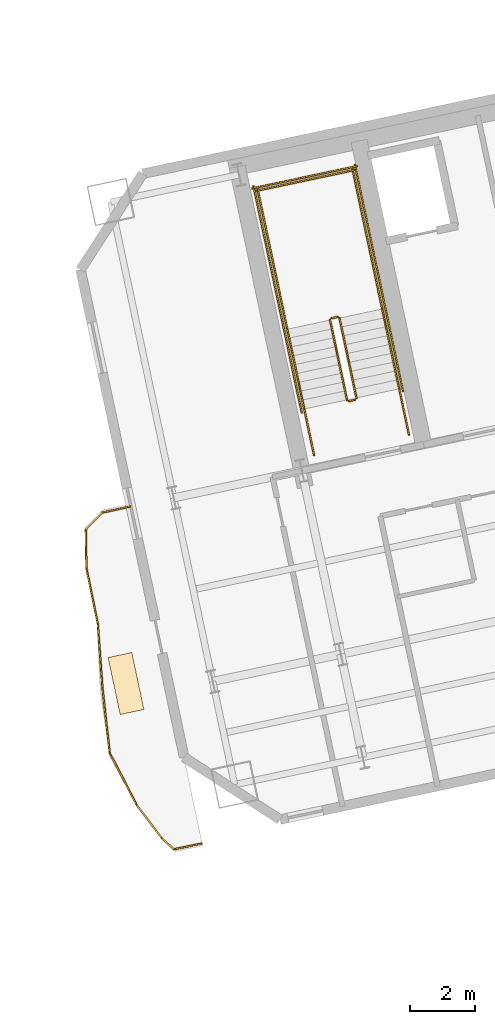
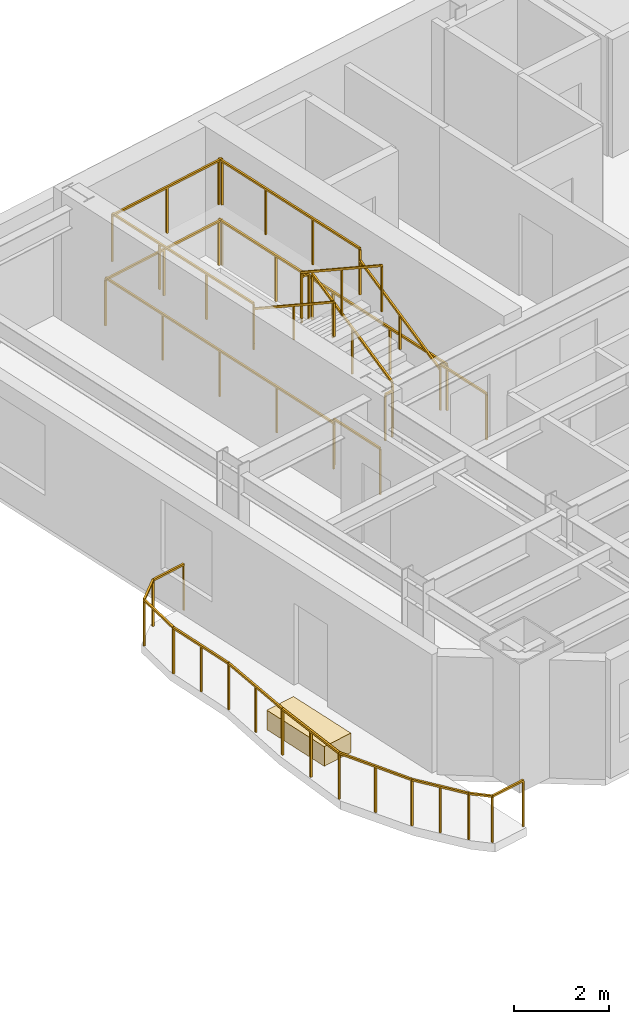
# One storey, part 12 of 14: 24 railings, 1 covering.
"""IFC4 building model written with IfcOpenShell, lengths in metres."""

import ifcopenshell
import ifcopenshell.guid

model = None  # the IFC model being written
_history = None  # IfcOwnerHistory: only IFC2X3 demands one
_inside = {}  # id of a spatial element -> (the spatial element, [elements in it])
_under = {}  # id of a project, library or spatial element -> (it, [spatial elements below it])
_declared = {}  # id of a project -> (the project, [libraries it declares])
_typed = {}  # id of a type object -> (the type object, [elements of that type])
_made_of = {}  # id of a material, layer set ... -> (it, [elements and type objects made of it])


def new_model(schema):
    """Start an empty IFC model of exactly this schema.

    Asked for "IFC4X3", IfcOpenShell would pick the latest addendum, in which some entities
    have other attributes; the version numbers below select the first issue.
    IFC2X3 requires an IfcOwnerHistory on every rooted entity: one is made here for all.
    """
    global model, _history
    if schema == "IFC4X3":
        model = ifcopenshell.file(schema_version=(4, 3, 0, 0))
    else:
        model = ifcopenshell.file(schema=schema)
    _inside.clear()
    _under.clear()
    _declared.clear()
    _typed.clear()
    _made_of.clear()
    _history = None
    if model.schema == "IFC2X3":
        org = make("IfcOrganization", Name="unknown")
        user = make(
            "IfcPersonAndOrganization",
            ThePerson=make("IfcPerson", FamilyName="unknown"),
            TheOrganization=org,
        )
        app = make(
            "IfcApplication",
            ApplicationDeveloper=org,
            Version="unknown",
            ApplicationFullName="unknown",
            ApplicationIdentifier="unknown",
        )
        _history = make(
            "IfcOwnerHistory",
            OwningUser=user,
            OwningApplication=app,
            ChangeAction="ADDED",
            CreationDate=0,
        )
    return model


def make(cls, **values):
    """One entity of the class cls with the attributes given. An attribute that is None is left unset."""
    return model.create_entity(
        cls, **{name: value for name, value in values.items() if value is not None}
    )


def rooted(cls, **values):
    """An entity with a GlobalId (a new one), such as an element, a storey or a relation."""
    return make(cls, GlobalId=ifcopenshell.guid.new(), OwnerHistory=_history, **values)


def si_unit(unit_type, name, prefix=None):
    """IfcSIUnit, for example si_unit("LENGTHUNIT", "METRE", prefix="MILLI")."""
    return make("IfcSIUnit", UnitType=unit_type, Prefix=prefix, Name=name)


def assignment(units):
    """IfcUnitAssignment: the units of a project."""
    return None if units is None else make("IfcUnitAssignment", Units=units)


def point(xyz):
    """IfcCartesianPoint."""
    return None if xyz is None else make("IfcCartesianPoint", Coordinates=xyz)


def direction(xyz):
    """IfcDirection."""
    return None if xyz is None else make("IfcDirection", DirectionRatios=xyz)


def frame(location, z_axis=None, x_axis=None):
    """IfcAxis2Placement3D, a coordinate frame: its origin and axes. An axis left out is left unset."""
    return make(
        "IfcAxis2Placement3D",
        Location=point(location),
        Axis=direction(z_axis),
        RefDirection=direction(x_axis),
    )


def frame_2d(location, x_axis=None):
    """IfcAxis2Placement2D, a coordinate frame in the plane: its origin and x axis."""
    return make(
        "IfcAxis2Placement2D", Location=point(location), RefDirection=direction(x_axis)
    )


def origin():
    """The frame at (0, 0, 0) with its axes left unset."""
    return frame((0.0, 0.0, 0.0))


def origin_2d():
    """The frame at (0, 0) in the plane with its x axis left unset."""
    return frame_2d((0.0, 0.0))


def place(relative_to, where):
    """IfcLocalPlacement: puts the frame where relative to a parent placement (None: the world)."""
    return make(
        "IfcLocalPlacement", PlacementRelTo=relative_to, RelativePlacement=where
    )


def context(
    kind, dimensions, precision=None, world=None, true_north=None, identifier=None
):
    """IfcGeometricRepresentationContext, for example the 3D "Model" context."""
    return make(
        "IfcGeometricRepresentationContext",
        ContextIdentifier=identifier,
        ContextType=kind,
        CoordinateSpaceDimension=dimensions,
        Precision=precision,
        WorldCoordinateSystem=world,
        TrueNorth=true_north,
    )


def subcontext(parent, identifier, kind, view, scale=None):
    """IfcGeometricRepresentationSubContext, for example "Body" below "Model"."""
    return make(
        "IfcGeometricRepresentationSubContext",
        ContextIdentifier=identifier,
        ContextType=kind,
        ParentContext=parent,
        TargetScale=scale,
        TargetView=view,
    )


def project(units=None, contexts=None):
    """IfcProject with its units and contexts."""
    return rooted(
        "IfcProject",
        Name="project",
        RepresentationContexts=contexts,
        UnitsInContext=assignment(units),
    )


def spatial(cls, under=None, at=None, **own):
    """A site, building, storey or space (cls), placed at a placement, below another one or the project."""
    s = rooted(cls, ObjectPlacement=at, **own)
    if under is not None:
        _under.setdefault(under.id(), (under, []))[1].append(s)
    return s


def profile(cls, at=None, kind="AREA", **sizes):
    """A parametric profile (cls). Its sizes go by their IFC names, for example OverallWidth=200.0."""
    return make(cls, ProfileType=kind, Position=at, **sizes)


def rectangle(**sizes):
    """IfcRectangleProfileDef."""
    return profile("IfcRectangleProfileDef", **sizes)


def extrude(swept, where, along, depth):
    """IfcExtrudedAreaSolid: the profile swept, set in the frame where, extruded along a direction by depth."""
    return make(
        "IfcExtrudedAreaSolid",
        SweptArea=swept,
        Position=where,
        ExtrudedDirection=direction(along),
        Depth=depth,
    )


def shape(context_of_items, identifier, shape_type, items):
    """IfcShapeRepresentation: the items that make up one representation, for example the "Body"."""
    return make(
        "IfcShapeRepresentation",
        ContextOfItems=context_of_items,
        RepresentationIdentifier=identifier,
        RepresentationType=shape_type,
        Items=items,
    )


def material(Name=None, Category=None):
    """IfcMaterial."""
    return make("IfcMaterial", Name=Name, Category=Category)


def layer(
    of_material, thickness, ventilated=None, Name=None, Category=None, Priority=None
):
    """IfcMaterialLayer: one layer of a wall or slab, of a material (None: an air gap)."""
    return make(
        "IfcMaterialLayer",
        Material=of_material,
        LayerThickness=thickness,
        IsVentilated=ventilated,
        Name=Name,
        Category=Category,
        Priority=Priority,
    )


def layer_set(layers, Name=None):
    """IfcMaterialLayerSet."""
    return make("IfcMaterialLayerSet", MaterialLayers=layers, LayerSetName=Name)


def made_of(thing, what):
    """Note that an element or type object is made of a material, layer set ...; save() writes the relation."""
    if what is not None:
        _made_of.setdefault(what.id(), (what, []))[1].append(thing)
    return thing


def type_object(cls, material=None, **own):
    """A type object (cls), such as IfcWallType, which elements share."""
    return made_of(rooted(cls, **own), material)


def element(
    cls,
    number,
    at=None,
    inside=None,
    cuts=None,
    type_object=None,
    material=None,
    context=None,
    identifier="Body",
    shape_type=None,
    held_by="IfcProductDefinitionShape",
    body=None,
    shapes=None,
    **own,
):
    """One element of the class cls, such as IfcWall. Its Tag is "e" and its number.

    at: its placement. inside: the storey or other place that contains it. cuts: it is an
    opening in that element (IfcRelVoidsElement). A single representation is given by context,
    identifier, shape_type and body (its items); several are given by shapes. held_by: the class
    of the entity that holds the representations. save() writes the other relations.
    """
    e = rooted(cls, Tag="e%d" % number, ObjectPlacement=at, **own)
    if body is not None:
        shapes = [shape(context, identifier, shape_type, body)]
    if shapes is not None:
        e.Representation = make(held_by, Representations=shapes)
    if inside is not None:
        _inside.setdefault(inside.id(), (inside, []))[1].append(e)
    if cuts is not None:
        rooted(
            "IfcRelVoidsElement", RelatingBuildingElement=cuts, RelatedOpeningElement=e
        )
    if type_object is not None:
        _typed.setdefault(type_object.id(), (type_object, []))[1].append(e)
    return made_of(e, material)


def aggregate(whole, parts):
    """IfcRelAggregates: a whole, such as a stair, and the parts it consists of."""
    return rooted("IfcRelAggregates", RelatingObject=whole, RelatedObjects=parts)


def save(model, path):
    """Write the relations noted so far, then the file.

    IfcRelAggregates (storeys below a building ...), IfcRelContainedInSpatialStructure (elements
    in a storey), IfcRelDefinesByType, IfcRelAssociatesMaterial and IfcRelDeclares: one each for
    every whole, place, type object, material and project.
    """
    for whole, parts in _under.values():
        aggregate(whole, parts)
    for where, things in _inside.values():
        rooted(
            "IfcRelContainedInSpatialStructure",
            RelatedElements=things,
            RelatingStructure=where,
        )
    for kind, things in _typed.values():
        rooted("IfcRelDefinesByType", RelatedObjects=things, RelatingType=kind)
    for what, things in _made_of.values():
        rooted("IfcRelAssociatesMaterial", RelatedObjects=things, RelatingMaterial=what)
    for by, libraries in _declared.values():
        rooted("IfcRelDeclares", RelatingContext=by, RelatedDefinitions=libraries)
    model.write(path)


model = new_model("IFC4")

# Units and contexts
model_context = context("Model", 3, precision=1e-05, world=origin(), true_north=direction((0.0, 1.0)))
body_context = subcontext(model_context, "Body", "Model", "MODEL_VIEW")
ifc_project = project(units=[si_unit("LENGTHUNIT", "METRE"), si_unit("AREAUNIT", "SQUARE_METRE"), si_unit("VOLUMEUNIT", "CUBIC_METRE"), si_unit("PLANEANGLEUNIT", "RADIAN"), si_unit("MASSUNIT", "GRAM", prefix="KILO")], contexts=[model_context])

# Site, building, storey
site_placement = place(None, origin())
site = spatial("IfcSite", under=ifc_project, at=site_placement, CompositionType="ELEMENT")
building_placement = place(site_placement, origin())
building = spatial("IfcBuilding", under=site, at=building_placement, Name="Haevon Station Towers", CompositionType="ELEMENT")
storey_placement = place(building_placement, frame((0.0, 0.0, 169.199951171875)))
storey = spatial("IfcBuildingStorey", under=building, at=storey_placement, Name="L46", CompositionType="ELEMENT", Elevation=169.199951171875)

# Railings
ifc_material_1 = material(Name="Steel S355", Category="steel")
railing_type_1 = type_object("IfcRailingType", Name="GRD-EXT1200", PredefinedType="GUARDRAIL", material=ifc_material_1)
railing_1_placement = place(storey_placement, frame((93.44384765625, 36.33154296875, 0.0)))
element("IfcRailing", 1, at=railing_1_placement, inside=storey, type_object=railing_type_1, Name="L46 Perimeter Guardrail 1", PredefinedType="GUARDRAIL", context=body_context, shape_type="SweptSolid", body=[
    extrude(rectangle(XDim=0.048095703125, YDim=0.048095703125, at=origin_2d()), frame((0.0, 0.0, 1.17578125), z_axis=(-0.977695451476, -0.210027627141, 0.0), x_axis=(0.210027627141, -0.977695451476, 0.0)), (0.0, 0.0, 1.0), 0.869384765625),
    extrude(rectangle(XDim=0.0419921875, YDim=0.0419921875, at=origin_2d()), origin(), (0.0, 0.0, 1.0), 1.15185546875),
    extrude(rectangle(XDim=0.0419921875, YDim=0.0419921875, at=origin_2d()), frame((-0.85009765625, -0.1826171875, 0.0)), (0.0, 0.0, 1.0), 1.15185546875),
])
railing_2_placement = place(storey_placement, frame((92.59375, 36.14892578125, 0.0)))
element("IfcRailing", 2, at=railing_2_placement, inside=storey, type_object=railing_type_1, Name="L46 Perimeter Guardrail 2", PredefinedType="GUARDRAIL", context=body_context, shape_type="SweptSolid", body=[
    extrude(rectangle(XDim=0.048095703125, YDim=0.048095703125, at=origin_2d()), frame((0.0, 0.0, 1.17578125), z_axis=(-0.699844816207, -0.714294920343, 0.0), x_axis=(0.714294920343, -0.699844816207, 0.0)), (0.0, 0.0, 1.0), 0.743408203125),
    extrude(rectangle(XDim=0.0419921875, YDim=0.0419921875, at=origin_2d()), origin(), (0.0, 0.0, 1.0), 1.15185546875),
    extrude(rectangle(XDim=0.0419921875, YDim=0.0419921875, at=origin_2d()), frame((-0.520263671875, -0.531005859375, 0.0)), (0.0, 0.0, 1.0), 1.15185546875),
])
railing_3_placement = place(storey_placement, frame((92.073486328125, 35.617919921875, 0.0)))
element("IfcRailing", 3, at=railing_3_placement, inside=storey, type_object=railing_type_1, Name="L46 Perimeter Guardrail 3", PredefinedType="GUARDRAIL", context=body_context, shape_type="SweptSolid", body=[
    extrude(rectangle(XDim=0.048095703125, YDim=0.048095703125, at=origin_2d()), frame((0.0, 0.0, 1.17578125), z_axis=(0.018439487303, -0.9998299782, 0.0), x_axis=(0.9998299782, 0.018439487303, 0.0)), (0.0, 0.0, 1.0), 1.191650390625),
    extrude(rectangle(XDim=0.0419921875, YDim=0.0419921875, at=origin_2d()), origin(), (0.0, 0.0, 1.0), 1.15185546875),
    extrude(rectangle(XDim=0.0419921875, YDim=0.0419921875, at=origin_2d()), frame((0.02197265625, -1.19140625, 0.0)), (0.0, 0.0, 1.0), 1.15185546875),
])
railing_4_placement = place(storey_placement, frame((92.095458984375, 34.426513671875, 0.0)))
element("IfcRailing", 4, at=railing_4_placement, inside=storey, type_object=railing_type_1, Name="L46 Perimeter Guardrail 4", PredefinedType="GUARDRAIL", context=body_context, shape_type="SweptSolid", body=[
    extrude(rectangle(XDim=0.048095703125, YDim=0.048095703125, at=origin_2d()), frame((0.0, 0.0, 1.17578125), z_axis=(0.200700479152, -0.979652651539, 0.0), x_axis=(0.979652651539, 0.200700479152, 0.0)), (0.0, 0.0, 1.0), 1.75048828125),
    extrude(rectangle(XDim=0.0419921875, YDim=0.0419921875, at=origin_2d()), origin(), (0.0, 0.0, 1.0), 1.15185546875),
    extrude(rectangle(XDim=0.0419921875, YDim=0.0419921875, at=origin_2d()), frame((0.17578125, -0.857421875, 0.0)), (0.0, 0.0, 1.0), 1.15185546875),
    extrude(rectangle(XDim=0.0419921875, YDim=0.0419921875, at=origin_2d()), frame((0.351318359375, -1.71484375, 0.0)), (0.0, 0.0, 1.0), 1.15185546875),
])
railing_5_placement = place(storey_placement, frame((92.44677734375, 32.711669921875, 0.0)))
element("IfcRailing", 5, at=railing_5_placement, inside=storey, type_object=railing_type_1, Name="L46 Perimeter Guardrail 5", PredefinedType="GUARDRAIL", context=body_context, shape_type="SweptSolid", body=[
    extrude(rectangle(XDim=0.048095703125, YDim=0.048095703125, at=origin_2d()), frame((0.0, 0.0, 1.17578125), z_axis=(0.072603881336, -0.997360855666, 0.0), x_axis=(0.997360855666, 0.072603881336, 0.0)), (0.0, 0.0, 1.0), 2.007568359375),
    extrude(rectangle(XDim=0.0419921875, YDim=0.0419921875, at=origin_2d()), origin(), (0.0, 0.0, 1.0), 1.15185546875),
    extrude(rectangle(XDim=0.0419921875, YDim=0.0419921875, at=origin_2d()), frame((0.07275390625, -1.0009765625, 0.0)), (0.0, 0.0, 1.0), 1.15185546875),
    extrude(rectangle(XDim=0.0419921875, YDim=0.0419921875, at=origin_2d()), frame((0.145751953125, -2.002197265625, 0.0)), (0.0, 0.0, 1.0), 1.15185546875),
])
railing_6_placement = place(storey_placement, frame((92.592529296875, 30.70947265625, 0.0)))
element("IfcRailing", 6, at=railing_6_placement, inside=storey, type_object=railing_type_1, Name="L46 Perimeter Guardrail 6", PredefinedType="GUARDRAIL", context=body_context, shape_type="SweptSolid", body=[
    extrude(rectangle(XDim=0.048095703125, YDim=0.048095703125, at=origin_2d()), frame((0.0, 0.0, 1.17578125), z_axis=(0.111367614102, -0.993779278577, 0.0), x_axis=(0.993779278577, 0.111367614102, 0.0)), (0.0, 0.0, 1.0), 2.003662109375),
    extrude(rectangle(XDim=0.0419921875, YDim=0.0419921875, at=origin_2d()), origin(), (0.0, 0.0, 1.0), 1.15185546875),
    extrude(rectangle(XDim=0.0419921875, YDim=0.0419921875, at=origin_2d()), frame((0.111572265625, -0.99560546875, 0.0)), (0.0, 0.0, 1.0), 1.15185546875),
    extrude(rectangle(XDim=0.0419921875, YDim=0.0419921875, at=origin_2d()), frame((0.22314453125, -1.9912109375, 0.0)), (0.0, 0.0, 1.0), 1.15185546875),
])
railing_7_placement = place(storey_placement, frame((92.815673828125, 28.71826171875, 0.0)))
element("IfcRailing", 7, at=railing_7_placement, inside=storey, type_object=railing_type_1, Name="L46 Perimeter Guardrail 7", PredefinedType="GUARDRAIL", context=body_context, shape_type="SweptSolid", body=[
    extrude(rectangle(XDim=0.048095703125, YDim=0.048095703125, at=origin_2d()), frame((0.0, 0.0, 1.17578125), z_axis=(0.460970518106, -0.887415450303, 0.0), x_axis=(0.887415450303, 0.460970518106, 0.0)), (0.0, 0.0, 1.0), 1.810302734375),
    extrude(rectangle(XDim=0.0419921875, YDim=0.0419921875, at=origin_2d()), origin(), (0.0, 0.0, 1.0), 1.15185546875),
    extrude(rectangle(XDim=0.0419921875, YDim=0.0419921875, at=origin_2d()), frame((0.417236328125, -0.80322265625, 0.0)), (0.0, 0.0, 1.0), 1.15185546875),
    extrude(rectangle(XDim=0.0419921875, YDim=0.0419921875, at=origin_2d()), frame((0.83447265625, -1.6064453125, 0.0)), (0.0, 0.0, 1.0), 1.15185546875),
])
railing_8_placement = place(storey_placement, frame((93.650146484375, 27.11181640625, 0.0)))
element("IfcRailing", 8, at=railing_8_placement, inside=storey, type_object=railing_type_1, Name="L46 Perimeter Guardrail 8", PredefinedType="GUARDRAIL", context=body_context, shape_type="SweptSolid", body=[
    extrude(rectangle(XDim=0.048095703125, YDim=0.048095703125, at=origin_2d()), frame((0.0, 0.0, 1.17578125), z_axis=(0.602477349531, -0.798135980458, 0.0), x_axis=(0.798135980458, 0.602477349531, 0.0)), (0.0, 0.0, 1.0), 1.29150390625),
    extrude(rectangle(XDim=0.0419921875, YDim=0.0419921875, at=origin_2d()), origin(), (0.0, 0.0, 1.0), 1.15185546875),
    extrude(rectangle(XDim=0.0419921875, YDim=0.0419921875, at=origin_2d()), frame((0.38916015625, -0.515380859375, 0.0)), (0.0, 0.0, 1.0), 1.15185546875),
    extrude(rectangle(XDim=0.0419921875, YDim=0.0419921875, at=origin_2d()), frame((0.778076171875, -1.03076171875, 0.0)), (0.0, 0.0, 1.0), 1.15185546875),
])
railing_9_placement = place(storey_placement, frame((94.42822265625, 26.0810546875, 0.0)))
element("IfcRailing", 9, at=railing_9_placement, inside=storey, type_object=railing_type_1, Name="L46 Perimeter Guardrail 9", PredefinedType="GUARDRAIL", context=body_context, shape_type="SweptSolid", body=[
    extrude(rectangle(XDim=0.048095703125, YDim=0.048095703125, at=origin_2d()), frame((0.0, 0.0, 1.17578125), z_axis=(0.743341898555, -0.668911669694, 0.0), x_axis=(0.668911669694, 0.743341898555, 0.0)), (0.0, 0.0, 1.0), 0.50830078125),
    extrude(rectangle(XDim=0.0419921875, YDim=0.0419921875, at=origin_2d()), origin(), (0.0, 0.0, 1.0), 1.15185546875),
    extrude(rectangle(XDim=0.0419921875, YDim=0.0419921875, at=origin_2d()), frame((0.3779296875, -0.340087890625, 0.0)), (0.0, 0.0, 1.0), 1.15185546875),
])
railing_10_placement = place(storey_placement, frame((94.80615234375, 25.740966796875, 0.0)))
element("IfcRailing", 10, at=railing_10_placement, inside=storey, type_object=railing_type_1, Name="L46 Perimeter Guardrail 10", PredefinedType="GUARDRAIL", context=body_context, shape_type="SweptSolid", body=[
    extrude(rectangle(XDim=0.048095703125, YDim=0.048095703125, at=origin_2d()), frame((0.0, 0.0, 1.17578125), z_axis=(0.978588498747, 0.205826504901, 0.0), x_axis=(-0.205826504901, 0.978588498747, 0.0)), (0.0, 0.0, 1.0), 0.869384765625),
    extrude(rectangle(XDim=0.0419921875, YDim=0.0419921875, at=origin_2d()), origin(), (0.0, 0.0, 1.0), 1.15185546875),
    extrude(rectangle(XDim=0.0419921875, YDim=0.0419921875, at=origin_2d()), frame((0.850830078125, 0.178955078125, 0.0)), (0.0, 0.0, 1.0), 1.15185546875),
])
railing_type_2 = type_object("IfcRailingType", Name="GRD-STR1200", PredefinedType="GUARDRAIL", material=ifc_material_1)
railing_11_placement = place(storey_placement, frame((100.44140625, 39.69287109375, 0.1650390625)))
element("IfcRailing", 11, at=railing_11_placement, inside=storey, type_object=railing_type_2, Name="L46 ST3 Stair Guard 1", PredefinedType="GUARDRAIL", context=body_context, shape_type="SweptSolid", body=[
    extrude(rectangle(XDim=0.048095703125, YDim=0.048095703125, at=origin_2d()), frame((0.0, 0.0, 1.17578125), z_axis=(-0.179121265225, 0.842687928106, 0.507732831485), x_axis=(-0.978147030254, -0.207914374695, 0.0)), (0.0, 0.0, 1.0), 2.925048828125),
    extrude(rectangle(XDim=0.0419921875, YDim=0.0419921875, at=origin_2d()), origin(), (0.0, 0.0, 1.0), 1.15185546875),
    extrude(rectangle(XDim=0.0419921875, YDim=0.0419921875, at=origin_2d()), frame((-0.261962890625, 1.232421875, 0.74267578125)), (0.0, 0.0, 1.0), 1.15185546875),
    extrude(rectangle(XDim=0.0419921875, YDim=0.0419921875, at=origin_2d()), frame((-0.52392578125, 2.46484375, 1.485107421875)), (0.0, 0.0, 1.0), 1.15185546875),
])
railing_12_placement = place(storey_placement, frame((99.858154296875, 42.1962890625, 1.650146484375)))
element("IfcRailing", 12, at=railing_12_placement, inside=storey, type_object=railing_type_2, Name="L46 ST3 Stair Guard 2", PredefinedType="GUARDRAIL", context=body_context, shape_type="SweptSolid", body=[
    extrude(rectangle(XDim=0.048095703125, YDim=0.048095703125, at=origin_2d()), frame((0.0, 0.0, 1.17578125), z_axis=(-0.977962931203, -0.208778603291, 0.0), x_axis=(0.208778603291, -0.977962931203, 0.0)), (0.0, 0.0, 1.0), 0.199951171875),
    extrude(rectangle(XDim=0.0419921875, YDim=0.0419921875, at=origin_2d()), origin(), (0.0, 0.0, 1.0), 1.15185546875),
    extrude(rectangle(XDim=0.0419921875, YDim=0.0419921875, at=origin_2d()), frame((-0.195556640625, -0.041748046875, 0.0)), (0.0, 0.0, 1.0), 1.15185546875),
])
railing_13_placement = place(storey_placement, frame((101.238037109375, 42.4384765625, 1.650146484375)))
element("IfcRailing", 13, at=railing_13_placement, inside=storey, type_object=railing_type_2, Name="L46 ST3 Stair Guard 3", PredefinedType="GUARDRAIL", context=body_context, shape_type="SweptSolid", body=[
    extrude(rectangle(XDim=0.048095703125, YDim=0.048095703125, at=origin_2d()), frame((0.0, 0.0, 1.17578125), z_axis=(-0.20794048909, 0.978141479029, 0.0), x_axis=(-0.978141479029, -0.20794048909, 0.0)), (0.0, 0.0, 1.0), 4.429931640625),
    extrude(rectangle(XDim=0.0419921875, YDim=0.0419921875, at=origin_2d()), origin(), (0.0, 0.0, 1.0), 1.15185546875),
    extrude(rectangle(XDim=0.0419921875, YDim=0.0419921875, at=origin_2d()), frame((-0.30712890625, 1.4443359375, 0.0)), (0.0, 0.0, 1.0), 1.15185546875),
    extrude(rectangle(XDim=0.0419921875, YDim=0.0419921875, at=origin_2d()), frame((-0.614013671875, 2.888671875, 0.0)), (0.0, 0.0, 1.0), 1.15185546875),
    extrude(rectangle(XDim=0.0419921875, YDim=0.0419921875, at=origin_2d()), frame((-0.921142578125, 4.3330078125, 0.0)), (0.0, 0.0, 1.0), 1.15185546875),
])
railing_14_placement = place(storey_placement, frame((98.303466796875, 41.814697265625, 1.650146484375)))
element("IfcRailing", 14, at=railing_14_placement, inside=storey, type_object=railing_type_2, Name="L46 ST3 Stair Guard 4", PredefinedType="GUARDRAIL", context=body_context, shape_type="SweptSolid", body=[
    extrude(rectangle(XDim=0.048095703125, YDim=0.048095703125, at=origin_2d()), frame((0.0, 0.0, 1.17578125), z_axis=(-0.207876551949, 0.978155069071, 0.0), x_axis=(-0.978155069071, -0.207876551949, 0.0)), (0.0, 0.0, 1.0), 4.429931640625),
    extrude(rectangle(XDim=0.0419921875, YDim=0.0419921875, at=origin_2d()), origin(), (0.0, 0.0, 1.0), 1.15185546875),
    extrude(rectangle(XDim=0.0419921875, YDim=0.0419921875, at=origin_2d()), frame((-0.306884765625, 1.4443359375, 0.0)), (0.0, 0.0, 1.0), 1.15185546875),
    extrude(rectangle(XDim=0.0419921875, YDim=0.0419921875, at=origin_2d()), frame((-0.614013671875, 2.888916015625, 0.0)), (0.0, 0.0, 1.0), 1.15185546875),
    extrude(rectangle(XDim=0.0419921875, YDim=0.0419921875, at=origin_2d()), frame((-0.9208984375, 4.333251953125, 0.0)), (0.0, 0.0, 1.0), 1.15185546875),
])
railing_15_placement = place(storey_placement, frame((100.376220703125, 46.733154296875, 1.650146484375)))
element("IfcRailing", 15, at=railing_15_placement, inside=storey, type_object=railing_type_2, Name="L46 ST3 Stair Guard 5", PredefinedType="GUARDRAIL", context=body_context, shape_type="SweptSolid", body=[
    extrude(rectangle(XDim=0.048095703125, YDim=0.048095703125, at=origin_2d()), frame((0.0, 0.0, 1.17578125), z_axis=(-0.978146839882, -0.207915270313, 0.0), x_axis=(0.207915270313, -0.978146839882, 0.0)), (0.0, 0.0, 1.0), 3.099853515625),
    extrude(rectangle(XDim=0.0419921875, YDim=0.0419921875, at=origin_2d()), origin(), (0.0, 0.0, 1.0), 1.15185546875),
    extrude(rectangle(XDim=0.0419921875, YDim=0.0419921875, at=origin_2d()), frame((-1.51611328125, -0.322265625, 0.0)), (0.0, 0.0, 1.0), 1.15185546875),
    extrude(rectangle(XDim=0.0419921875, YDim=0.0419921875, at=origin_2d()), frame((-3.0322265625, -0.64453125, 0.0)), (0.0, 0.0, 1.0), 1.15185546875),
])
railing_16_placement = place(storey_placement, frame((99.6240234375, 42.09521484375, 1.81494140625)))
element("IfcRailing", 16, at=railing_16_placement, inside=storey, type_object=railing_type_2, Name="L46 ST3 Stair Guard 6", PredefinedType="GUARDRAIL", context=body_context, shape_type="SweptSolid", body=[
    extrude(rectangle(XDim=0.048095703125, YDim=0.048095703125, at=origin_2d()), frame((0.0, 0.0, 1.17578125), z_axis=(0.179121265225, -0.842687928106, 0.507732831485), x_axis=(0.978147030254, 0.207914374695, 0.0)), (0.0, 0.0, 1.0), 2.925048828125),
    extrude(rectangle(XDim=0.0419921875, YDim=0.0419921875, at=origin_2d()), origin(), (0.0, 0.0, 1.0), 1.15185546875),
    extrude(rectangle(XDim=0.0419921875, YDim=0.0419921875, at=origin_2d()), frame((0.261962890625, -1.232421875, 0.74267578125)), (0.0, 0.0, 1.0), 1.15185546875),
    extrude(rectangle(XDim=0.0419921875, YDim=0.0419921875, at=origin_2d()), frame((0.52392578125, -2.46484375, 1.485107421875)), (0.0, 0.0, 1.0), 1.15185546875),
])
railing_17_placement = place(storey_placement, frame((100.40283203125, 39.633544921875, 0.0)))
element("IfcRailing", 17, at=railing_17_placement, inside=storey, type_object=railing_type_2, Name="L46 ST3 Stair Guard 7", PredefinedType="GUARDRAIL", context=body_context, shape_type="SweptSolid", body=[
    extrude(rectangle(XDim=0.048095703125, YDim=0.048095703125, at=origin_2d()), frame((0.0, 0.0, 1.17578125), z_axis=(-0.977962931203, -0.208778603291, 0.0), x_axis=(0.208778603291, -0.977962931203, 0.0)), (0.0, 0.0, 1.0), 0.199951171875),
    extrude(rectangle(XDim=0.0419921875, YDim=0.0419921875, at=origin_2d()), origin(), (0.0, 0.0, 1.0), 1.15185546875),
    extrude(rectangle(XDim=0.0419921875, YDim=0.0419921875, at=origin_2d()), frame((-0.195556640625, -0.041748046875, 0.0)), (0.0, 0.0, 1.0), 1.15185546875),
])
for number, where, name in (
    (18, (102.0634765625, 38.55517578125, 0.0), "L46 ST3 Stair Guard 8"),
    (19, (99.12890625, 37.931396484375, 0.0), "L46 ST3 Stair Guard 9"),
):
    element("IfcRailing", number, at=place(storey_placement, frame(where)), inside=storey, type_object=railing_type_2, Name=name, PredefinedType="GUARDRAIL", context=body_context, shape_type="SweptSolid", body=[
        extrude(rectangle(XDim=0.048095703125, YDim=0.048095703125, at=origin_2d()), frame((0.0, 0.0, 1.17578125), z_axis=(-0.207953405961, 0.978138732977, 0.0), x_axis=(-0.978138732977, -0.207953405961, 0.0)), (0.0, 0.0, 1.0), 1.449951171875),
        extrude(rectangle(XDim=0.0419921875, YDim=0.0419921875, at=origin_2d()), origin(), (0.0, 0.0, 1.0), 1.15185546875),
        extrude(rectangle(XDim=0.0419921875, YDim=0.0419921875, at=origin_2d()), frame((-0.301513671875, 1.418212890625, 0.0)), (0.0, 0.0, 1.0), 1.15185546875),
    ])
railing_18_placement = place(storey_placement, frame((101.88037109375, 39.896484375, 0.0)))
element("IfcRailing", 20, at=railing_18_placement, inside=storey, type_object=railing_type_2, Name="L46 ST3 Stair Guard 10", PredefinedType="GUARDRAIL", context=body_context, shape_type="SweptSolid", body=[
    extrude(rectangle(XDim=0.048095703125, YDim=0.048095703125, at=origin_2d()), frame((0.0, 0.0, 1.17578125), z_axis=(-0.207882442208, 0.978153817261, 0.0), x_axis=(-0.978153817261, -0.207882442208, 0.0)), (0.0, 0.0, 1.0), 7.14990234375),
    extrude(rectangle(XDim=0.0419921875, YDim=0.0419921875, at=origin_2d()), origin(), (0.0, 0.0, 1.0), 1.15185546875),
    extrude(rectangle(XDim=0.0419921875, YDim=0.0419921875, at=origin_2d()), frame((-0.37158203125, 1.74853515625, 0.0)), (0.0, 0.0, 1.0), 1.15185546875),
    extrude(rectangle(XDim=0.0419921875, YDim=0.0419921875, at=origin_2d()), frame((-0.7431640625, 3.496826171875, 0.0)), (0.0, 0.0, 1.0), 1.15185546875),
    extrude(rectangle(XDim=0.0419921875, YDim=0.0419921875, at=origin_2d()), frame((-1.11474609375, 5.2451171875, 0.0)), (0.0, 0.0, 1.0), 1.15185546875),
    extrude(rectangle(XDim=0.0419921875, YDim=0.0419921875, at=origin_2d()), frame((-1.486328125, 6.99365234375, 0.0)), (0.0, 0.0, 1.0), 1.15185546875),
])
railing_19_placement = place(storey_placement, frame((98.75048828125, 39.231201171875, 0.0)))
element("IfcRailing", 21, at=railing_19_placement, inside=storey, type_object=railing_type_2, Name="L46 ST3 Stair Guard 11", PredefinedType="GUARDRAIL", context=body_context, shape_type="SweptSolid", body=[
    extrude(rectangle(XDim=0.048095703125, YDim=0.048095703125, at=origin_2d()), frame((0.0, 0.0, 1.17578125), z_axis=(-0.207915112487, 0.978146873429, 0.0), x_axis=(-0.978146873429, -0.207915112487, 0.0)), (0.0, 0.0, 1.0), 7.14990234375),
    extrude(rectangle(XDim=0.0419921875, YDim=0.0419921875, at=origin_2d()), origin(), (0.0, 0.0, 1.0), 1.15185546875),
    extrude(rectangle(XDim=0.0419921875, YDim=0.0419921875, at=origin_2d()), frame((-0.37158203125, 1.74853515625, 0.0)), (0.0, 0.0, 1.0), 1.15185546875),
    extrude(rectangle(XDim=0.0419921875, YDim=0.0419921875, at=origin_2d()), frame((-0.7431640625, 3.496826171875, 0.0)), (0.0, 0.0, 1.0), 1.15185546875),
    extrude(rectangle(XDim=0.0419921875, YDim=0.0419921875, at=origin_2d()), frame((-1.114990234375, 5.2451171875, 0.0)), (0.0, 0.0, 1.0), 1.15185546875),
    extrude(rectangle(XDim=0.0419921875, YDim=0.0419921875, at=origin_2d()), frame((-1.486572265625, 6.99365234375, 0.0)), (0.0, 0.0, 1.0), 1.15185546875),
])
railing_20_placement = place(storey_placement, frame((100.453125, 46.8515625, 0.0)))
element("IfcRailing", 22, at=railing_20_placement, inside=storey, type_object=railing_type_2, Name="L46 ST3 Stair Guard 12", PredefinedType="GUARDRAIL", context=body_context, shape_type="SweptSolid", body=[
    extrude(rectangle(XDim=0.048095703125, YDim=0.048095703125, at=origin_2d()), frame((0.0, 0.0, 1.17578125), z_axis=(-0.978150764849, -0.207896804268, 0.0), x_axis=(0.207896804268, -0.978150764849, 0.0)), (0.0, 0.0, 1.0), 3.2998046875),
    extrude(rectangle(XDim=0.0419921875, YDim=0.0419921875, at=origin_2d()), origin(), (0.0, 0.0, 1.0), 1.15185546875),
    extrude(rectangle(XDim=0.0419921875, YDim=0.0419921875, at=origin_2d()), frame((-1.61376953125, -0.343017578125, 0.0)), (0.0, 0.0, 1.0), 1.15185546875),
    extrude(rectangle(XDim=0.0419921875, YDim=0.0419921875, at=origin_2d()), frame((-3.227783203125, -0.68603515625, 0.0)), (0.0, 0.0, 1.0), 1.15185546875),
])
railing_type_3 = type_object("IfcRailingType", Name="HND-STR900", PredefinedType="HANDRAIL", material=ifc_material_1)
railing_21_placement = place(storey_placement, frame((101.761962890625, 39.973388671875, 0.1650390625)))
element("IfcRailing", 23, at=railing_21_placement, inside=storey, type_object=railing_type_3, Name="L46 ST3 Stair Handrail 1", PredefinedType="HANDRAIL", context=body_context, shape_type="SweptSolid", body=[
    extrude(rectangle(XDim=0.048095703125, YDim=0.048095703125, at=origin_2d()), frame((0.0, 0.0, 0.8759765625), z_axis=(-0.179108667068, 0.842712120868, 0.50769712105), x_axis=(-0.978151217824, -0.207894673017, 0.0)), (0.0, 0.0, 1.0), 2.92529296875),
    extrude(rectangle(XDim=0.0419921875, YDim=0.0419921875, at=origin_2d()), origin(), (0.0, 0.0, 1.0), 0.851806640625),
    extrude(rectangle(XDim=0.0419921875, YDim=0.0419921875, at=origin_2d()), frame((-0.261962890625, 1.232421875, 0.74267578125)), (0.0, 0.0, 1.0), 0.851806640625),
    extrude(rectangle(XDim=0.0419921875, YDim=0.0419921875, at=origin_2d()), frame((-0.52392578125, 2.465087890625, 1.485107421875)), (0.0, 0.0, 1.0), 0.851806640625),
])
railing_22_placement = place(storey_placement, frame((98.303466796875, 41.814697265625, 1.81494140625)))
element("IfcRailing", 24, at=railing_22_placement, inside=storey, type_object=railing_type_3, Name="L46 ST3 Stair Handrail 2", PredefinedType="HANDRAIL", context=body_context, shape_type="SweptSolid", body=[
    extrude(rectangle(XDim=0.048095703125, YDim=0.048095703125, at=origin_2d()), frame((0.0, 0.0, 0.8759765625), z_axis=(0.179108667068, -0.842712120868, 0.50769712105), x_axis=(0.978151217824, 0.207894673017, 0.0)), (0.0, 0.0, 1.0), 2.92529296875),
    extrude(rectangle(XDim=0.0419921875, YDim=0.0419921875, at=origin_2d()), origin(), (0.0, 0.0, 1.0), 0.851806640625),
    extrude(rectangle(XDim=0.0419921875, YDim=0.0419921875, at=origin_2d()), frame((0.261962890625, -1.232421875, 0.74267578125)), (0.0, 0.0, 1.0), 0.851806640625),
    extrude(rectangle(XDim=0.0419921875, YDim=0.0419921875, at=origin_2d()), frame((0.52392578125, -2.465087890625, 1.485107421875)), (0.0, 0.0, 1.0), 0.851806640625),
])

# Covering
ifc_material_2 = material(Name="Architectural planter GRC", Category="concrete")
ifc_layer = layer(ifc_material_2, 0.550048828125)
ifc_layer_set = layer_set([ifc_layer], Name="Architectural planter GRC")
covering_type = type_object("IfcCoveringType", Name="PLN-GRC550", PredefinedType="MOLDING", material=ifc_layer_set)
covering_placement = place(storey_placement, frame((93.318115234375, 30.86376953125, 0.0), z_axis=(0.0, 0.0, 1.0), x_axis=(0.978147600734, 0.207911690818, 0.0)))
element("IfcCovering", 25, at=covering_placement, inside=storey, type_object=covering_type, Name="Tower 2 L46 Scalloped Balcony PLANTER", PredefinedType="MOLDING", context=body_context, shape_type="SweptSolid", body=[
    extrude(rectangle(XDim=0.75, YDim=1.800048828125, at=origin_2d()), origin(), (0.0, 0.0, 1.0), 0.5),
])

save(model, "model.ifc")
